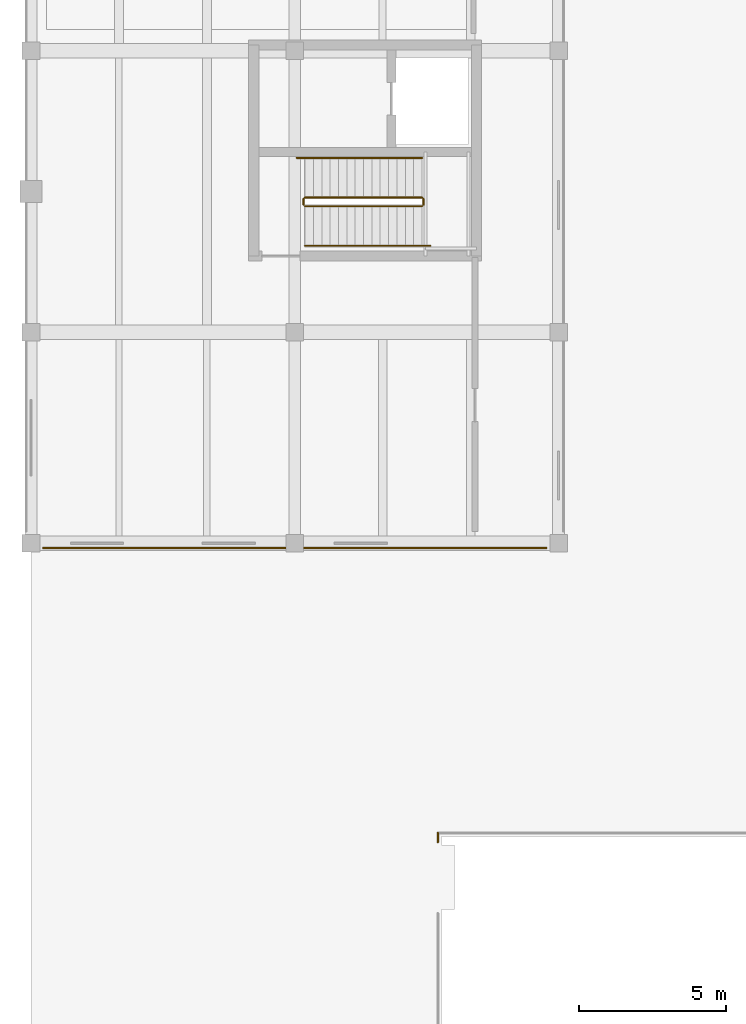
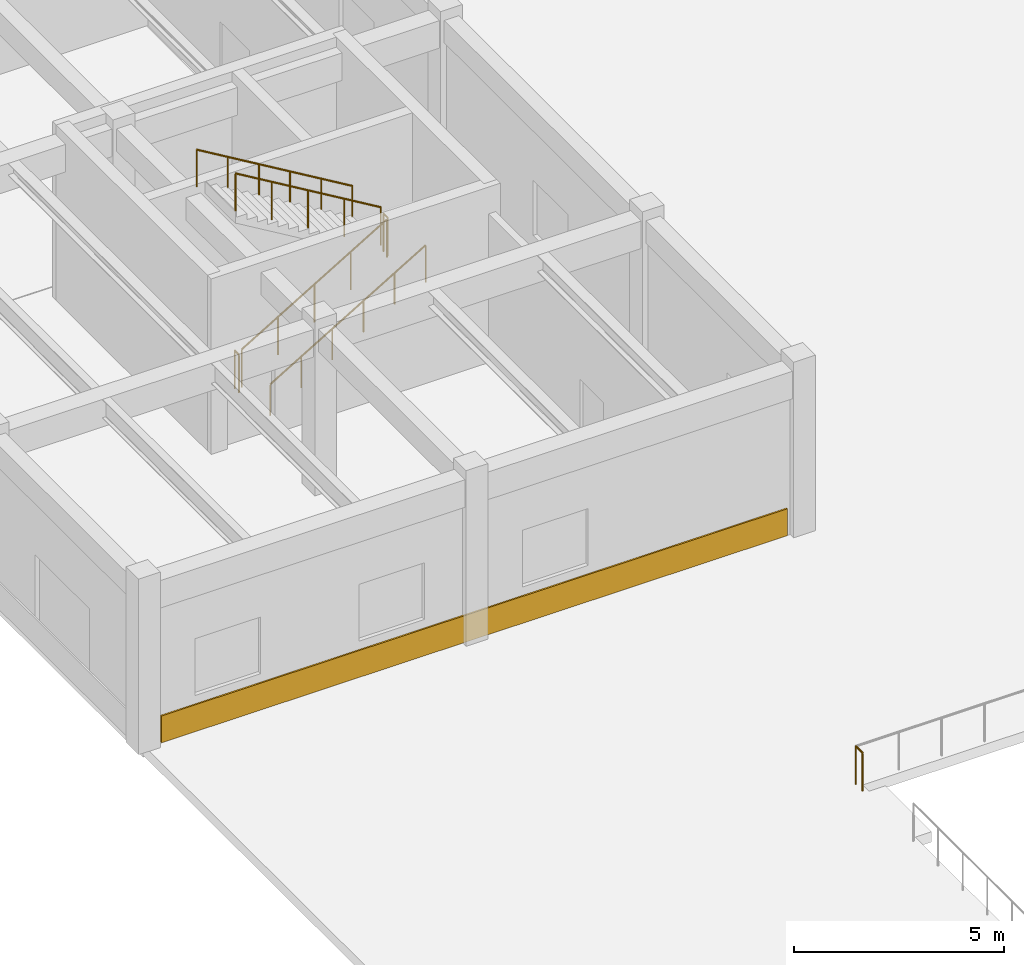
# One storey, part 50 of 64: 7 railings, 1 covering.
"""IFC4 building model written with IfcOpenShell, lengths in metres."""

from ifc_helpers import new_model, si_unit, direction, frame, origin, origin_2d, place, context, subcontext, project, spatial, rectangle, circle, extrude, material, layer, layer_set, type_object, element, save


model = new_model("IFC4")

# Units and contexts
model_context = context("Model", 3, precision=1e-05, world=origin(), true_north=direction((0.0, 1.0)))
body_context = subcontext(model_context, "Body", "Model", "MODEL_VIEW")
ifc_project = project(units=[si_unit("LENGTHUNIT", "METRE"), si_unit("AREAUNIT", "SQUARE_METRE"), si_unit("VOLUMEUNIT", "CUBIC_METRE"), si_unit("PLANEANGLEUNIT", "RADIAN"), si_unit("MASSUNIT", "GRAM", prefix="KILO")], contexts=[model_context])

# Site, building, storey
site_placement = place(None, origin())
site = spatial("IfcSite", under=ifc_project, at=site_placement, CompositionType="ELEMENT")
building_placement = place(site_placement, origin())
building = spatial("IfcBuilding", under=site, at=building_placement, Name="Montealbar Specialist Clinic", CompositionType="ELEMENT")
storey_placement = place(building_placement, origin())
storey = spatial("IfcBuildingStorey", under=building, at=storey_placement, Name="L00", CompositionType="ELEMENT", Elevation=0.0)

# Covering
ifc_material_1 = material(Name="Terracotta architectural cladding", Category="masonry")
ifc_layer_1 = layer(ifc_material_1, 0.044921875, Name="Terracotta architectural cladding", Category="masonry")
ifc_layer_set_1 = layer_set([ifc_layer_1], Name="Terracotta architectural cladding")
covering_type = type_object("IfcCoveringType", Name="COV-CLAD-TERRA", PredefinedType="CLADDING", material=ifc_layer_set_1)
covering_placement = place(storey_placement, frame((9.0, 44.840087890625, 0.02978515625), z_axis=(0.0, 0.0, 1.0), x_axis=(-1.0, 0.0, 0.0)))
element("IfcCovering", 1, at=covering_placement, inside=storey, type_object=covering_type, Name="Facade Plinth Cladding Band L00-021", PredefinedType="CLADDING", context=body_context, shape_type="SweptSolid", body=[
    extrude(rectangle(XDim=17.199951171875, YDim=0.044921875, at=origin_2d()), origin(), (0.0, 0.0, 1.0), 0.780029296875),
])

# Railings
ifc_material_2 = material(Name="Steel S355", Category="steel")
ifc_layer_2 = layer(ifc_material_2, 0.06005859375, Name="Steel S355", Category="steel")
ifc_layer_set_2 = layer_set([ifc_layer_2], Name="Steel S355")
railing_type_1 = type_object("IfcRailingType", Name="RAIL-EXT-BAL-1100", PredefinedType="BALUSTRADE", material=ifc_layer_set_2)
railing_1_placement = place(storey_placement, frame((13.8798828125, 34.800048828125, 0.0)))
element("IfcRailing", 2, at=railing_1_placement, inside=storey, type_object=railing_type_1, Name="Sunken Metro Forecourt Balustrade W-N", PredefinedType="BALUSTRADE", context=body_context, shape_type="SweptSolid", body=[
    extrude(circle(Radius=0.02392578125, at=origin_2d()), frame((0.0, 0.0, 1.09619140625), z_axis=(0.0, 1.0, 0.0), x_axis=(-1.0, 0.0, 0.0)), (0.0, 0.0, 1.0), 0.320068359375),
    extrude(circle(Radius=0.02099609375, at=origin_2d()), frame((0.0, 0.0, -0.02490234375)), (0.0, 0.0, 1.0), 1.096923828125),
    extrude(circle(Radius=0.02099609375, at=origin_2d()), frame((0.0, 0.320068359375, -0.02490234375)), (0.0, 0.0, 1.0), 1.096923828125),
])
ifc_layer_3 = layer(ifc_material_2, 0.050048828125, Name="Steel S355", Category="steel")
ifc_layer_set_3 = layer_set([ifc_layer_3], Name="Steel S355")
railing_type_2 = type_object("IfcRailingType", Name="RAIL-STAIR-BAL-1100", PredefinedType="BALUSTRADE", material=ifc_layer_set_3)
railing_2_placement = place(storey_placement, frame((9.35009765625, 56.5, 0.169921875)))
element("IfcRailing", 3, at=railing_2_placement, inside=storey, type_object=railing_type_2, Name="L00 ST-01 stair guard 1", PredefinedType="BALUSTRADE", context=body_context, shape_type="SweptSolid", body=[
    extrude(circle(Radius=0.02392578125, at=origin_2d()), frame((0.0, 0.0, 1.076171875), z_axis=(0.858806931142, 0.0, 0.512299380267), x_axis=(0.0, 1.0, 0.0)), (0.0, 0.0, 1.0), 4.64599609375),
    extrude(circle(Radius=0.02099609375, at=origin_2d()), frame((0.0, 0.0, -0.02490234375)), (0.0, 0.0, 1.0), 1.076904296875),
    extrude(circle(Radius=0.02099609375, at=origin_2d()), frame((0.99755859375, 0.0, 0.570068359375)), (0.0, 0.0, 1.0), 1.076904296875),
    extrude(circle(Radius=0.02099609375, at=origin_2d()), frame((1.9951171875, 0.0, 1.1650390625)), (0.0, 0.0, 1.0), 1.076904296875),
    extrude(circle(Radius=0.02099609375, at=origin_2d()), frame((2.992431640625, 0.0, 1.760009765625)), (0.0, 0.0, 1.0), 1.076904296875),
    extrude(circle(Radius=0.02099609375, at=origin_2d()), frame((3.989990234375, 0.0, 2.355224609375)), (0.0, 0.0, 1.0), 1.076904296875),
])
railing_3_placement = place(storey_placement, frame((13.389892578125, 56.550048828125, 2.550048828125)))
element("IfcRailing", 4, at=railing_3_placement, inside=storey, type_object=railing_type_2, Name="L00 ST-01 stair guard 2", PredefinedType="BALUSTRADE", context=body_context, shape_type="SweptSolid", body=[
    extrude(circle(Radius=0.02392578125, at=origin_2d()), frame((0.0, 0.0, 1.076171875), z_axis=(0.0, 1.0, 0.0), x_axis=(-1.0, 0.0, 0.0)), (0.0, 0.0, 1.0), 0.199951171875),
    extrude(circle(Radius=0.02099609375, at=origin_2d()), frame((0.0, 0.0, -0.02490234375)), (0.0, 0.0, 1.0), 1.076904296875),
    extrude(circle(Radius=0.02099609375, at=origin_2d()), frame((0.0, 0.199951171875, -0.02490234375)), (0.0, 0.0, 1.0), 1.076904296875),
])
railing_4_placement = place(storey_placement, frame((13.340087890625, 56.800048828125, 2.719970703125)))
element("IfcRailing", 5, at=railing_4_placement, inside=storey, type_object=railing_type_2, Name="L00 ST-01 stair guard 3", PredefinedType="BALUSTRADE", context=body_context, shape_type="SweptSolid", body=[
    extrude(circle(Radius=0.02392578125, at=origin_2d()), frame((0.0, 0.0, 1.076171875), z_axis=(-0.858806931142, 0.0, 0.512299380267), x_axis=(0.0, -1.0, 0.0)), (0.0, 0.0, 1.0), 4.64599609375),
    extrude(circle(Radius=0.02099609375, at=origin_2d()), frame((0.0, 0.0, -0.02490234375)), (0.0, 0.0, 1.0), 1.076904296875),
    extrude(circle(Radius=0.02099609375, at=origin_2d()), frame((-0.99755859375, 0.0, 0.570068359375)), (0.0, 0.0, 1.0), 1.076904296875),
    extrude(circle(Radius=0.02099609375, at=origin_2d()), frame((-1.9951171875, 0.0, 1.1650390625)), (0.0, 0.0, 1.0), 1.076904296875),
    extrude(circle(Radius=0.02099609375, at=origin_2d()), frame((-2.992431640625, 0.0, 1.760009765625)), (0.0, 0.0, 1.0), 1.076904296875),
    extrude(circle(Radius=0.02099609375, at=origin_2d()), frame((-3.989990234375, 0.0, 2.355224609375)), (0.0, 0.0, 1.0), 1.076904296875),
])
railing_5_placement = place(storey_placement, frame((9.300048828125, 56.550048828125, 0.0)))
element("IfcRailing", 6, at=railing_5_placement, inside=storey, type_object=railing_type_2, Name="L00 ST-01 stair guard 4", PredefinedType="BALUSTRADE", context=body_context, shape_type="SweptSolid", body=[
    extrude(circle(Radius=0.02392578125, at=origin_2d()), frame((0.0, 0.0, 1.076171875), z_axis=(0.0, 1.0, 0.0), x_axis=(-1.0, 0.0, 0.0)), (0.0, 0.0, 1.0), 0.199951171875),
    extrude(circle(Radius=0.02099609375, at=origin_2d()), frame((0.0, 0.0, -0.02490234375)), (0.0, 0.0, 1.0), 1.076904296875),
    extrude(circle(Radius=0.02099609375, at=origin_2d()), frame((0.0, 0.199951171875, -0.02490234375)), (0.0, 0.0, 1.0), 1.076904296875),
])
ifc_layer_4 = layer(ifc_material_2, 0.044921875, Name="Steel S355", Category="steel")
ifc_layer_set_4 = layer_set([ifc_layer_4], Name="Steel S355")
railing_type_3 = type_object("IfcRailingType", Name="RAIL-STAIR-HR-900", PredefinedType="HANDRAIL", material=ifc_layer_set_4)
railing_6_placement = place(storey_placement, frame((9.35009765625, 55.14990234375, 0.169921875)))
element("IfcRailing", 7, at=railing_6_placement, inside=storey, type_object=railing_type_3, Name="L00 ST-01 stair handrail 1", PredefinedType="HANDRAIL", context=body_context, shape_type="SweptSolid", body=[
    extrude(circle(Radius=0.02392578125, at=origin_2d()), frame((0.0, 0.0, 0.8759765625), z_axis=(0.858810040619, 0.0, 0.512294167576), x_axis=(0.0, 1.0, 0.0)), (0.0, 0.0, 1.0), 4.977783203125),
    extrude(circle(Radius=0.02099609375, at=origin_2d()), frame((0.0, 0.0, -0.02490234375)), (0.0, 0.0, 1.0), 0.876708984375),
    extrude(circle(Radius=0.02099609375, at=origin_2d()), frame((0.85498046875, 0.0, 0.485107421875)), (0.0, 0.0, 1.0), 0.876708984375),
    extrude(circle(Radius=0.02099609375, at=origin_2d()), frame((1.7099609375, 0.0, 0.9951171875)), (0.0, 0.0, 1.0), 0.876708984375),
    extrude(circle(Radius=0.02099609375, at=origin_2d()), frame((2.56494140625, 0.0, 1.505126953125)), (0.0, 0.0, 1.0), 0.876708984375),
    extrude(circle(Radius=0.02099609375, at=origin_2d()), frame((3.419921875, 0.0, 2.01513671875)), (0.0, 0.0, 1.0), 0.876708984375),
    extrude(circle(Radius=0.02099609375, at=origin_2d()), frame((4.27490234375, 0.0, 2.355224609375)), (0.0, 0.0, 1.0), 1.046630859375),
])
railing_7_placement = place(storey_placement, frame((13.340087890625, 58.14990234375, 2.719970703125)))
element("IfcRailing", 8, at=railing_7_placement, inside=storey, type_object=railing_type_3, Name="L00 ST-01 stair handrail 2", PredefinedType="HANDRAIL", context=body_context, shape_type="SweptSolid", body=[
    extrude(circle(Radius=0.02392578125, at=origin_2d()), frame((0.0, 0.0, 0.8759765625), z_axis=(-0.858822911917, 0.0, 0.512272589513), x_axis=(0.0, -1.0, 0.0)), (0.0, 0.0, 1.0), 4.97802734375),
    extrude(circle(Radius=0.02099609375, at=origin_2d()), frame((0.0, 0.0, -0.02490234375)), (0.0, 0.0, 1.0), 0.876708984375),
    extrude(circle(Radius=0.02099609375, at=origin_2d()), frame((-0.85498046875, 0.0, 0.485107421875)), (0.0, 0.0, 1.0), 0.876708984375),
    extrude(circle(Radius=0.02099609375, at=origin_2d()), frame((-1.7099609375, 0.0, 0.9951171875)), (0.0, 0.0, 1.0), 0.876708984375),
    extrude(circle(Radius=0.02099609375, at=origin_2d()), frame((-2.565185546875, 0.0, 1.505126953125)), (0.0, 0.0, 1.0), 0.876708984375),
    extrude(circle(Radius=0.02099609375, at=origin_2d()), frame((-3.420166015625, 0.0, 2.01513671875)), (0.0, 0.0, 1.0), 0.876708984375),
    extrude(circle(Radius=0.02099609375, at=origin_2d()), frame((-4.275146484375, 0.0, 2.355224609375)), (0.0, 0.0, 1.0), 1.046630859375),
])

save(model, "model.ifc")
